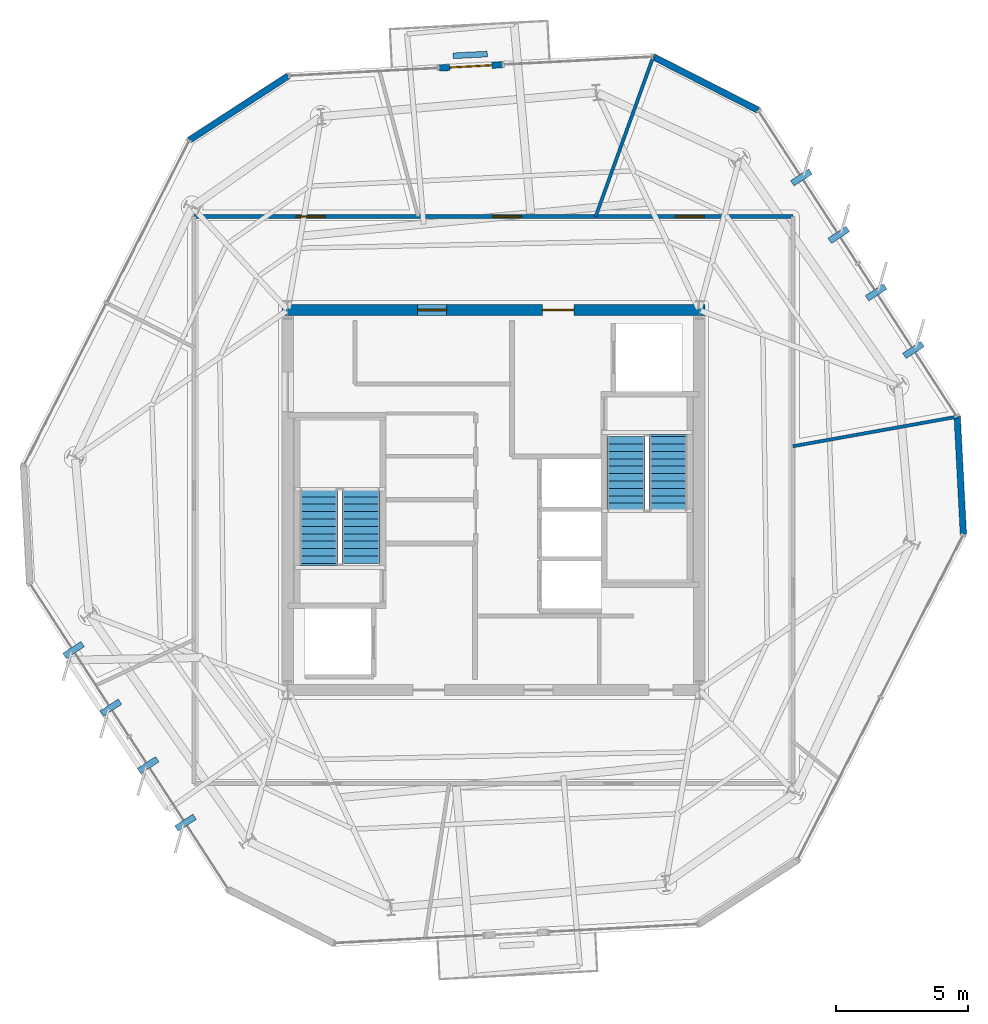
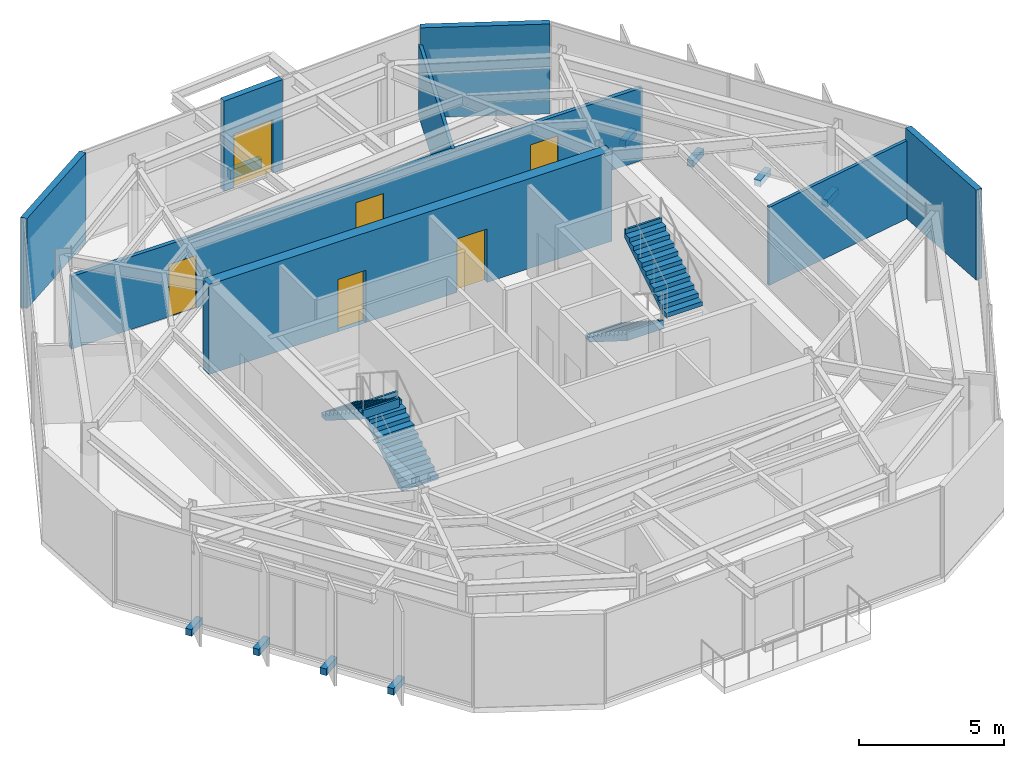
# One storey, part 7 of 11: 9 walls, 8 discrete accessories, 6 doors, 4 stair flights, 6 openings, 2 elements without a shape of their own.
"""IFC4 building model written with IfcOpenShell, lengths in metres."""

from ifc_helpers import new_model, si_unit, direction, frame, frame_2d, origin, origin_2d, place, context, subcontext, project, spatial, polyline, rectangle, outline, extrude, material, layer, layer_set, type_object, element, fill, aggregate, save


model = new_model("IFC4")

# Units and contexts
model_context = context("Model", 3, precision=1e-05, world=origin(), true_north=direction((0.0, 1.0)))
body_context = subcontext(model_context, "Body", "Model", "MODEL_VIEW")
ifc_project = project(units=[si_unit("LENGTHUNIT", "METRE"), si_unit("AREAUNIT", "SQUARE_METRE"), si_unit("VOLUMEUNIT", "CUBIC_METRE"), si_unit("PLANEANGLEUNIT", "RADIAN"), si_unit("MASSUNIT", "GRAM", prefix="KILO")], contexts=[model_context])

# Site, building, storey
site_placement = place(None, origin())
site = spatial("IfcSite", under=ifc_project, at=site_placement, CompositionType="ELEMENT")
building_placement = place(site_placement, origin())
building = spatial("IfcBuilding", under=site, at=building_placement, Name="Kranzbogen Civic Tower", CompositionType="ELEMENT")
storey_placement = place(building_placement, frame((0.0, 0.0, 278.199951171875)))
storey = spatial("IfcBuildingStorey", under=building, at=storey_placement, Name="L67", CompositionType="ELEMENT", Elevation=278.199951171875)

# Wall, openings, doors
ifc_material_1 = material(Name="Double-Stud Acoustic Gypsum Partition")
ifc_layer_1 = layer(ifc_material_1, 0.14990234375, Name="Double-Stud Acoustic Gypsum Partition")
ifc_layer_set_1 = layer_set([ifc_layer_1], Name="Double-Stud Acoustic Gypsum Partition")
wall_type_1 = type_object("IfcWallType", Name="Acoustic Corridor and Clinical Partition 150 mm", PredefinedType="PARTITIONING", material=ifc_layer_set_1)
wall_1_placement = place(storey_placement, frame((13.64990234375, 35.75, 0.0), z_axis=(0.0, 0.0, 1.0), x_axis=(1.0, 0.0, 0.0)))
wall_1 = element("IfcWall", 1, at=wall_1_placement, inside=storey, type_object=wall_type_1, Name="L67 corridor partition 01", PredefinedType="PARTITIONING", context=body_context, shape_type="SweptSolid", body=[
    extrude(rectangle(XDim=22.7001953125, YDim=0.14990234375, at=frame_2d((11.35009765625, 0.0))), origin(), (0.0, 0.0, 1.0), 3.050048828125),
])
opening_1_placement = place(wall_1_placement, frame((18.241943359375, 0.0, 0.0)))
opening_1 = element("IfcOpeningElement", 2, at=opening_1_placement, cuts=wall_1, Name="Opening D-COR60", PredefinedType="OPENING", context=body_context, shape_type="SweptSolid", body=[
    extrude(rectangle(XDim=1.10009765625, YDim=2.199951171875, at=frame_2d((0.550048828125, 1.10009765625))), frame((0.0, 0.0849609375, 0.0), z_axis=(0.0, -1.0, 0.0), x_axis=(1.0, 0.0, 0.0)), (0.0, 0.0, 1.0), 0.169921875),
])
opening_2_placement = place(wall_1_placement, frame((11.31201171875, 0.0, 0.0)))
opening_2 = element("IfcOpeningElement", 3, at=opening_2_placement, cuts=wall_1, Name="Opening D-COR60", PredefinedType="OPENING", context=body_context, shape_type="SweptSolid", body=[
    extrude(rectangle(XDim=1.10009765625, YDim=2.199951171875, at=frame_2d((0.550048828125, 1.10009765625))), frame((0.0, 0.0849609375, 0.0), z_axis=(0.0, -1.0, 0.0), x_axis=(1.0, 0.0, 0.0)), (0.0, 0.0, 1.0), 0.169921875),
])
opening_3_placement = place(wall_1_placement, frame((3.87109375, 0.0, 0.0)))
opening_3 = element("IfcOpeningElement", 4, at=opening_3_placement, cuts=wall_1, Name="Opening D-COR60", PredefinedType="OPENING", context=body_context, shape_type="SweptSolid", body=[
    extrude(rectangle(XDim=1.10009765625, YDim=2.199951171875, at=frame_2d((0.550048828125, 1.10009765625))), frame((0.0, 0.0849609375, 0.0), z_axis=(0.0, -1.0, 0.0), x_axis=(1.0, 0.0, 0.0)), (0.0, 0.0, 1.0), 0.169921875),
])
ifc_material_2 = material(Name="Oak Timber and Fire Core", Category="wood")
door_type_1 = type_object("IfcDoorType", Name="Corridor Acoustic Fire Door 1100x2200", OperationType="NOTDEFINED", PredefinedType="DOOR", material=ifc_material_2)
door_1_placement = place(opening_1_placement, origin())
door_1 = element("IfcDoor", 5, at=door_1_placement, inside=storey, type_object=door_type_1, Name="L67 Hospitality Catering Kitchen door", OperationType="SINGLE_SWING_RIGHT", OverallHeight=2.199951171875, OverallWidth=1.10009765625, PredefinedType="DOOR", context=body_context, shape_type="SweptSolid", body=[
    extrude(rectangle(XDim=1.10009765625, YDim=2.199951171875, at=frame_2d((0.550048828125, 1.10009765625))), frame((0.0, 0.02490234375, 0.0), z_axis=(0.0, -1.0, 0.0), x_axis=(1.0, 0.0, 0.0)), (0.0, 0.0, 1.0), 0.050048828125),
])
fill(opening_1, door_1)
door_2_placement = place(opening_2_placement, origin())
door_2 = element("IfcDoor", 6, at=door_2_placement, inside=storey, type_object=door_type_1, Name="L67 Refreshment Galley Pantry door", OperationType="SINGLE_SWING_LEFT", OverallHeight=2.199951171875, OverallWidth=1.10009765625, PredefinedType="DOOR", context=body_context, shape_type="SweptSolid", body=[
    extrude(rectangle(XDim=1.10009765625, YDim=2.199951171875, at=frame_2d((0.550048828125, 1.10009765625))), frame((0.0, 0.02490234375, 0.0), z_axis=(0.0, -1.0, 0.0), x_axis=(1.0, 0.0, 0.0)), (0.0, 0.0, 1.0), 0.050048828125),
])
fill(opening_2, door_2)
door_3_placement = place(opening_3_placement, origin())
door_3 = element("IfcDoor", 7, at=door_3_placement, inside=storey, type_object=door_type_1, Name="L67 Executive Briefing Conference Room door", OperationType="SINGLE_SWING_RIGHT", OverallHeight=2.199951171875, OverallWidth=1.10009765625, PredefinedType="DOOR", context=body_context, shape_type="SweptSolid", body=[
    extrude(rectangle(XDim=1.10009765625, YDim=2.199951171875, at=frame_2d((0.550048828125, 1.10009765625))), frame((0.0, 0.02490234375, 0.0), z_axis=(0.0, -1.0, 0.0), x_axis=(1.0, 0.0, 0.0)), (0.0, 0.0, 1.0), 0.050048828125),
])
fill(opening_3, door_3)

# Walls
ifc_material_3 = material(Name="Insulated Metal-Stud Gypsum Partition")
ifc_layer_2 = layer(ifc_material_3, 0.125, Name="Insulated Metal-Stud Gypsum Partition")
ifc_layer_set_2 = layer_set([ifc_layer_2], Name="Insulated Metal-Stud Gypsum Partition")
wall_type_2 = type_object("IfcWallType", Name="Acoustic Inter-Room Partition 125 mm", PredefinedType="PARTITIONING", material=ifc_layer_set_2)
wall_2_placement = place(storey_placement, frame((36.35009765625, 27.0380859375, 0.0), z_axis=(0.0, 0.0, 1.0), x_axis=(0.98424342704, 0.1768187669, 0.0)))
element("IfcWall", 8, at=wall_2_placement, inside=storey, type_object=wall_type_2, Name="L67 radial room partition 06", PredefinedType="PARTITIONING", context=body_context, shape_type="SweptSolid", body=[
    extrude(rectangle(XDim=6.311279296875, YDim=0.125, at=frame_2d((3.15576171875, 0.0))), origin(), (0.0, 0.0, 1.0), 3.280029296875),
])
wall_3_placement = place(storey_placement, frame((28.8740234375, 35.75, 0.0), z_axis=(0.0, 0.0, 1.0), x_axis=(0.3391479103, 0.940733062531, 0.0)))
element("IfcWall", 9, at=wall_3_placement, inside=storey, type_object=wall_type_2, Name="L67 radial room partition 07", PredefinedType="PARTITIONING", context=body_context, shape_type="SweptSolid", body=[
    extrude(rectangle(XDim=6.416259765625, YDim=0.125, at=frame_2d((3.2080078125, 0.0))), origin(), (0.0, 0.0, 1.0), 3.050048828125),
])
ifc_material_4 = material(Name="Architectural Precast Terracotta Concrete C40/50", Category="masonry")
ifc_layer_3 = layer(ifc_material_4, 0.219970703125, Name="Architectural Precast Terracotta Concrete C40/50")
ifc_layer_set_3 = layer_set([ifc_layer_3], Name="Architectural Precast Terracotta Concrete C40/50")
wall_type_3 = type_object("IfcWallType", Name="Architectural Tree Planter Kerb Wall 220 mm", PredefinedType="USERDEFINED", material=ifc_layer_set_3)
wall_4_placement = place(storey_placement, frame((24.764892578125, 41.906982421875, 0.0), z_axis=(0.0, 0.0, 1.0), x_axis=(-0.998635416873, -0.052223597797, 0.0)))
element("IfcWall", 10, at=wall_4_placement, inside=storey, type_object=wall_type_3, Name="L67 landscaped tree balcony planter L67-TB1", ObjectType="PLANTER_WALL", PredefinedType="USERDEFINED", context=body_context, shape_type="SweptSolid", body=[
    extrude(rectangle(XDim=1.299560546875, YDim=0.219970703125, at=frame_2d((0.64990234375, 0.0))), origin(), (0.0, 0.0, 1.0), 0.400146484375),
])

# Wall, openings, doors
ifc_material_5 = material(Name="Concrete C45/55", Category="concrete")
ifc_layer_4 = layer(ifc_material_5, 0.419921875, Name="Concrete C45/55")
ifc_layer_set_4 = layer_set([ifc_layer_4], Name="Concrete C45/55")
wall_type_4 = type_object("IfcWallType", Name="Central Core Shear Wall 420 mm", PredefinedType="SHEAR", material=ifc_layer_set_4)
wall_5_placement = place(storey_placement, frame((33.010009765625, 32.199951171875, 0.0), z_axis=(0.0, 0.0, 1.0), x_axis=(-1.0, 0.0, 0.0)))
wall_5 = element("IfcWall", 11, at=wall_5_placement, inside=storey, type_object=wall_type_4, Name="L67 central core North shear wall", PredefinedType="SHEAR", context=body_context, shape_type="SweptSolid", body=[
    extrude(rectangle(XDim=16.02001953125, YDim=0.419921875, at=frame_2d((8.010009765625, 0.0))), origin(), (0.0, 0.0, 1.0), 3.780029296875),
])
opening_4_placement = place(wall_5_placement, frame((4.9599609375, 0.0, 0.0)))
opening_4 = element("IfcOpeningElement", 12, at=opening_4_placement, cuts=wall_5, Name="Opening D-EX120", PredefinedType="OPENING", context=body_context, shape_type="SweptSolid", body=[
    extrude(rectangle(XDim=1.199951171875, YDim=2.25, at=frame_2d((0.60009765625, 1.125))), frame((0.0, 0.219970703125, 0.0), z_axis=(0.0, -1.0, 0.0), x_axis=(1.0, 0.0, 0.0)), (0.0, 0.0, 1.0), 0.43994140625),
])
opening_5_placement = place(wall_5_placement, frame((9.784912109375, 0.0, 0.0)))
opening_5 = element("IfcOpeningElement", 13, at=opening_5_placement, cuts=wall_5, Name="Opening D-COR60", PredefinedType="OPENING", context=body_context, shape_type="SweptSolid", body=[
    extrude(rectangle(XDim=1.10009765625, YDim=2.199951171875, at=frame_2d((0.550048828125, 1.10009765625))), frame((0.0, 0.219970703125, 0.0), z_axis=(0.0, -1.0, 0.0), x_axis=(1.0, 0.0, 0.0)), (0.0, 0.0, 1.0), 0.43994140625),
])
door_4_placement = place(opening_5_placement, origin())
door_4 = element("IfcDoor", 14, at=door_4_placement, inside=storey, type_object=door_type_1, Name="L67 DAT1 comms room door", OperationType="SINGLE_SWING_LEFT", OverallHeight=2.199951171875, OverallWidth=1.10009765625, PredefinedType="DOOR", context=body_context, shape_type="SweptSolid", body=[
    extrude(rectangle(XDim=1.10009765625, YDim=2.199951171875, at=frame_2d((0.550048828125, 1.10009765625))), frame((0.0, 0.02490234375, 0.0), z_axis=(0.0, -1.0, 0.0), x_axis=(1.0, 0.0, 0.0)), (0.0, 0.0, 1.0), 0.050048828125),
])
fill(opening_5, door_4)
ifc_material_6 = material(Name="Steel S355", Category="steel")
door_type_2 = type_object("IfcDoorType", Name="Exit Passageway Fire Door 1200x2250", OperationType="NOTDEFINED", PredefinedType="DOOR", material=ifc_material_6)
door_5_placement = place(opening_4_placement, origin())
door_5 = element("IfcDoor", 15, at=door_5_placement, inside=storey, type_object=door_type_2, Name="L67 East firefighting lobby corridor door", OperationType="SINGLE_SWING_LEFT", OverallHeight=2.25, OverallWidth=1.199951171875, PredefinedType="DOOR", context=body_context, shape_type="SweptSolid", body=[
    extrude(rectangle(XDim=1.199951171875, YDim=2.25, at=frame_2d((0.60009765625, 1.125))), frame((0.0, 0.02490234375, 0.0), z_axis=(0.0, -1.0, 0.0), x_axis=(1.0, 0.0, 0.0)), (0.0, 0.0, 1.0), 0.050048828125),
])
fill(opening_4, door_5)

# Wall, opening, door
ifc_material_7 = material(Name="Pale Anodised Aluminium", Category="aluminium")
ifc_layer_5 = layer(ifc_material_7, 0.239990234375, Name="Pale Anodised Aluminium")
ifc_layer_set_5 = layer_set([ifc_layer_5], Name="Pale Anodised Aluminium")
wall_type_5 = type_object("IfcWallType", Name="Insulated Aluminium Facade Portal Wall 240 mm", PredefinedType="STANDARD", material=ifc_layer_set_5)
wall_6_placement = place(storey_placement, frame((25.3369140625, 41.501953125, 0.0), z_axis=(0.0, 0.0, 1.0), x_axis=(-0.998643002132, -0.052078347636, 0.0)))
wall_6 = element("IfcWall", 16, at=wall_6_placement, inside=storey, type_object=wall_type_5, Name="L67 exterior entrance portal wall 1", PredefinedType="STANDARD", context=body_context, shape_type="SweptSolid", body=[
    extrude(rectangle(XDim=2.400146484375, YDim=0.239990234375, at=frame_2d((1.2001953125, 0.0))), origin(), (0.0, 0.0, 1.0), 3.780029296875),
])
opening_6_placement = place(wall_6_placement, frame((0.39990234375, 0.0, 0.0)))
opening_6 = element("IfcOpeningElement", 17, at=opening_6_placement, cuts=wall_6, Name="Opening D-TER", PredefinedType="OPENING", context=body_context, shape_type="SweptSolid", body=[
    extrude(rectangle(XDim=1.60009765625, YDim=2.25, at=frame_2d((0.800048828125, 1.125))), frame((0.0, 0.1298828125, 0.0), z_axis=(0.0, -1.0, 0.0), x_axis=(1.0, 0.0, 0.0)), (0.0, 0.0, 1.0), 0.260009765625),
])
ifc_material_8 = material(Name="Anodised Bronze and Triple Glass", Category="glass")
door_type_3 = type_object("IfcDoorType", Name="Glazed Terrace and Balcony Double Door 1600x2250", OperationType="DOUBLE_DOOR_SINGLE_SWING", PredefinedType="DOOR", material=ifc_material_8)
door_6_placement = place(opening_6_placement, frame((1.60009765625, 0.0, 0.0), z_axis=(0.0, 0.0, 1.0), x_axis=(-1.0, 0.0, 0.0)))
door_6 = element("IfcDoor", 18, at=door_6_placement, inside=storey, type_object=door_type_3, Name="L67 tree balcony access door L67-TB1", OperationType="DOUBLE_DOOR_SINGLE_SWING", OverallHeight=2.25, OverallWidth=1.60009765625, PredefinedType="DOOR", context=body_context, shape_type="SweptSolid", body=[
    extrude(rectangle(XDim=1.60009765625, YDim=2.25, at=frame_2d((0.800048828125, 1.125))), frame((0.0, 0.02490234375, 0.0), z_axis=(0.0, -1.0, 0.0), x_axis=(1.0, 0.0, 0.0)), (0.0, 0.0, 1.0), 0.050048828125),
])
fill(opening_6, door_6)

# Walls
wall_7_placement = place(storey_placement, frame((17.220947265625, 41.076904296875, 0.0), z_axis=(0.0, 0.0, 1.0), x_axis=(-0.838777032967, -0.544475058169, 0.0)))
element("IfcWall", 19, at=wall_7_placement, inside=storey, type_object=wall_type_5, Name="L67 chamfered corner facade spandrel 1", PredefinedType="STANDARD", context=body_context, shape_type="SweptSolid", body=[
    extrude(rectangle(XDim=4.464599609375, YDim=0.239990234375, at=frame_2d((2.232421875, 0.0))), origin(), (0.0, 0.0, 1.0), 3.780029296875),
])
wall_8_placement = place(storey_placement, frame((42.81201171875, 23.697998046875, 0.0), z_axis=(0.0, 0.0, 1.0), x_axis=(-0.052162791258, 0.998638594892, 0.0)))
element("IfcWall", 20, at=wall_8_placement, inside=storey, type_object=wall_type_5, Name="L67 chamfered corner facade spandrel 5", PredefinedType="STANDARD", context=body_context, shape_type="SweptSolid", body=[
    extrude(rectangle(XDim=4.465087890625, YDim=0.239990234375, at=frame_2d((2.232421875, 0.0))), origin(), (0.0, 0.0, 1.0), 3.780029296875),
])
wall_9_placement = place(storey_placement, frame((35.033935546875, 39.77490234375, 0.0), z_axis=(0.0, 0.0, 1.0), x_axis=(-0.890988997793, 0.454024895586, 0.0)))
element("IfcWall", 21, at=wall_9_placement, inside=storey, type_object=wall_type_5, Name="L67 chamfered corner facade spandrel 6", PredefinedType="STANDARD", context=body_context, shape_type="SweptSolid", body=[
    extrude(rectangle(XDim=4.46484375, YDim=0.239990234375, at=frame_2d((2.232421875, 0.0))), origin(), (0.0, 0.0, 1.0), 3.780029296875),
])

# Stair, stair flights
ifc_material_9 = material(Name="Precast concrete C40/50", Category="concrete")
stair_type_1 = type_object("IfcStairType", Name="Tower Core Pressurized Dogleg Stair 1450", PredefinedType="HALF_TURN_STAIR", material=ifc_material_9)
stair_1_placement = place(storey_placement, origin())
stair_1 = element("IfcStair", 22, at=stair_1_placement, inside=storey, type_object=stair_type_1, Name="L67 Tower Core Pressurized Stair 1", PredefinedType="HALF_TURN_STAIR")
stair_flight_type = type_object("IfcStairFlightType", Name="Precast Concrete Stair Flight R180", PredefinedType="STRAIGHT", material=ifc_material_9)
stair_flight_1_placement = place(storey_placement, frame((19.97509765625, 22.60009765625, 0.0), z_axis=(0.0, 0.0, 1.0), x_axis=(0.0, 1.0, 0.0)))
stair_flight_1 = element("IfcStairFlight", 23, at=stair_flight_1_placement, type_object=stair_flight_type, Name="ST-T1 flight 1", NumberOfRisers=11, NumberOfTreads=10, PredefinedType="STRAIGHT", RiserHeight=0.181818182, TreadLength=0.28, context=body_context, shape_type="SweptSolid", body=[
    extrude(outline(polyline([(0.0, 0.0), (0.0, 0.181884765625), (0.280029296875, 0.181884765625), (0.280029296875, 0.363525390625), (0.56005859375, 0.363525390625), (0.56005859375, 0.54541015625), (0.840087890625, 0.54541015625), (0.840087890625, 0.727294921875), (1.1201171875, 0.727294921875), (1.1201171875, 0.9091796875), (1.39990234375, 0.9091796875), (1.39990234375, 1.0908203125), (1.679931640625, 1.0908203125), (1.679931640625, 1.272705078125), (1.9599609375, 1.272705078125), (1.9599609375, 1.45458984375), (2.239990234375, 1.45458984375), (2.239990234375, 1.636474609375), (2.52001953125, 1.636474609375), (2.52001953125, 1.818115234375), (2.800048828125, 1.818115234375), (2.800048828125, 2.0), (2.880126953125, 2.0), (2.880126953125, 1.639404296875), (0.275146484375, 0.0), (0.0, 0.0)])), frame((0.0, 0.72509765625, 0.0), z_axis=(0.0, -1.0, 0.0), x_axis=(1.0, 0.0, 0.0)), (0.0, 0.0, 1.0), 1.449951171875),
])
stair_flight_2_placement = place(storey_placement, frame((18.375, 25.39990234375, 2.0), z_axis=(0.0, 0.0, 1.0), x_axis=(0.0, -1.0, 0.0)))
stair_flight_2 = element("IfcStairFlight", 24, at=stair_flight_2_placement, type_object=stair_flight_type, Name="ST-T1 flight 2", NumberOfRisers=11, NumberOfTreads=10, PredefinedType="STRAIGHT", RiserHeight=0.181818182, TreadLength=0.28, context=body_context, shape_type="SweptSolid", body=[
    extrude(outline(polyline([(0.0, 0.0), (0.0, 0.181884765625), (0.280029296875, 0.181884765625), (0.280029296875, 0.363525390625), (0.56005859375, 0.363525390625), (0.56005859375, 0.54541015625), (0.840087890625, 0.54541015625), (0.840087890625, 0.727294921875), (1.1201171875, 0.727294921875), (1.1201171875, 0.9091796875), (1.39990234375, 0.9091796875), (1.39990234375, 1.0908203125), (1.679931640625, 1.0908203125), (1.679931640625, 1.272705078125), (1.9599609375, 1.272705078125), (1.9599609375, 1.45458984375), (2.239990234375, 1.45458984375), (2.239990234375, 1.636474609375), (2.52001953125, 1.636474609375), (2.52001953125, 1.818115234375), (2.800048828125, 1.818115234375), (2.800048828125, 2.0), (2.880126953125, 2.0), (2.880126953125, 1.639404296875), (0.275146484375, 0.0), (0.0, 0.0)])), frame((0.0, 0.72509765625, 0.0), z_axis=(0.0, -1.0, 0.0), x_axis=(1.0, 0.0, 0.0)), (0.0, 0.0, 1.0), 1.449951171875),
])
aggregate(stair_1, [stair_flight_1, stair_flight_2])

stair_type_2 = type_object("IfcStairType", Name="Tower Core Secondary Dogleg Stair 1450", PredefinedType="HALF_TURN_STAIR", material=ifc_material_9)
stair_2_placement = place(storey_placement, origin())
stair_2 = element("IfcStair", 25, at=stair_2_placement, inside=storey, type_object=stair_type_2, Name="L67 Tower Core Pressurized Stair 2", PredefinedType="HALF_TURN_STAIR")
stair_flight_3_placement = place(storey_placement, frame((30.02490234375, 27.39990234375, 0.0), z_axis=(0.0, 0.0, 1.0), x_axis=(0.0, -1.0, 0.0)))
stair_flight_3 = element("IfcStairFlight", 26, at=stair_flight_3_placement, type_object=stair_flight_type, Name="ST-T2 flight 1", NumberOfRisers=11, NumberOfTreads=10, PredefinedType="STRAIGHT", RiserHeight=0.181818182, TreadLength=0.28, context=body_context, shape_type="SweptSolid", body=[
    extrude(outline(polyline([(0.0, 0.0), (0.0, 0.181884765625), (0.280029296875, 0.181884765625), (0.280029296875, 0.363525390625), (0.56005859375, 0.363525390625), (0.56005859375, 0.54541015625), (0.840087890625, 0.54541015625), (0.840087890625, 0.727294921875), (1.1201171875, 0.727294921875), (1.1201171875, 0.9091796875), (1.39990234375, 0.9091796875), (1.39990234375, 1.0908203125), (1.679931640625, 1.0908203125), (1.679931640625, 1.272705078125), (1.9599609375, 1.272705078125), (1.9599609375, 1.45458984375), (2.239990234375, 1.45458984375), (2.239990234375, 1.636474609375), (2.52001953125, 1.636474609375), (2.52001953125, 1.818115234375), (2.800048828125, 1.818115234375), (2.800048828125, 2.0), (2.880126953125, 2.0), (2.880126953125, 1.639404296875), (0.275146484375, 0.0), (0.0, 0.0)])), frame((0.0, 0.72509765625, 0.0), z_axis=(0.0, -1.0, 0.0), x_axis=(1.0, 0.0, 0.0)), (0.0, 0.0, 1.0), 1.449951171875),
])
stair_flight_4_placement = place(storey_placement, frame((31.625, 24.60009765625, 2.0), z_axis=(0.0, 0.0, 1.0), x_axis=(0.0, 1.0, 0.0)))
stair_flight_4 = element("IfcStairFlight", 27, at=stair_flight_4_placement, type_object=stair_flight_type, Name="ST-T2 flight 2", NumberOfRisers=11, NumberOfTreads=10, PredefinedType="STRAIGHT", RiserHeight=0.181818182, TreadLength=0.28, context=body_context, shape_type="SweptSolid", body=[
    extrude(outline(polyline([(0.0, 0.0), (0.0, 0.181884765625), (0.280029296875, 0.181884765625), (0.280029296875, 0.363525390625), (0.56005859375, 0.363525390625), (0.56005859375, 0.54541015625), (0.840087890625, 0.54541015625), (0.840087890625, 0.727294921875), (1.1201171875, 0.727294921875), (1.1201171875, 0.9091796875), (1.39990234375, 0.9091796875), (1.39990234375, 1.0908203125), (1.679931640625, 1.0908203125), (1.679931640625, 1.272705078125), (1.9599609375, 1.272705078125), (1.9599609375, 1.45458984375), (2.239990234375, 1.45458984375), (2.239990234375, 1.636474609375), (2.52001953125, 1.636474609375), (2.52001953125, 1.818115234375), (2.800048828125, 1.818115234375), (2.800048828125, 2.0), (2.880126953125, 2.0), (2.880126953125, 1.639404296875), (0.275146484375, 0.0), (0.0, 0.0)])), frame((0.0, 0.72509765625, 0.0), z_axis=(0.0, -1.0, 0.0), x_axis=(1.0, 0.0, 0.0)), (0.0, 0.0, 1.0), 1.449951171875),
])
aggregate(stair_2, [stair_flight_3, stair_flight_4])

# Discrete accessories
discrete_accessory_type = type_object("IfcDiscreteAccessoryType", Name="Structural Curtain-Wall Fin Support Bracket", PredefinedType="BRACKET", material=ifc_material_6)
for number, where, z_axis, x_axis, name in (
    (28, (9.077880859375, 19.31103515625, -0.25), (0.0, 0.0, 1.0), (-0.838670567945, -0.544639035015, 0.0), "L67 facade fin support bracket F3-1"),
    (29, (10.493896484375, 17.1298828125, -0.25), (0.0, 0.0, 1.0), (-0.838670567945, -0.544639035015, 0.0), "L67 facade fin support bracket F3-2"),
    (30, (11.909912109375, 14.948974609375, -0.25), (0.0, 0.0, 1.0), (-0.838670567945, -0.544639035015, 0.0), "L67 facade fin support bracket F3-3"),
    (31, (13.326904296875, 12.76904296875, -0.25), (0.0, 0.0, 1.0), (-0.838670567945, -0.544639035015, 0.0), "L67 facade fin support bracket F3-4"),
    (32, (40.922119140625, 30.68896484375, -0.25), (0.0, 0.0, 1.0), (0.838670567945, 0.544639035015, 0.0), "L67 facade fin support bracket F6-1"),
    (33, (39.506103515625, 32.8701171875, -0.25), (0.0, 0.0, 1.0), (0.838670567945, 0.544639035015, 0.0), "L67 facade fin support bracket F6-2"),
    (34, (38.090087890625, 35.051025390625, -0.25), (0.0, 0.0, 1.0), (0.838670567945, 0.544639035015, 0.0), "L67 facade fin support bracket F6-3"),
    (35, (36.673095703125, 37.23095703125, -0.25), (0.0, 0.0, 1.0), (0.838670567945, 0.544639035015, 0.0), "L67 facade fin support bracket F6-4"),
):
    element("IfcDiscreteAccessory", number, at=place(storey_placement, frame(where, z_axis=z_axis, x_axis=x_axis)), inside=storey, type_object=discrete_accessory_type, Name=name, PredefinedType="BRACKET", context=body_context, shape_type="SweptSolid", body=[
        extrude(rectangle(XDim=0.820068359375, YDim=0.239990234375, at=origin_2d()), origin(), (0.0, 0.0, 1.0), 0.280029296875),
    ])

save(model, "model.ifc")
